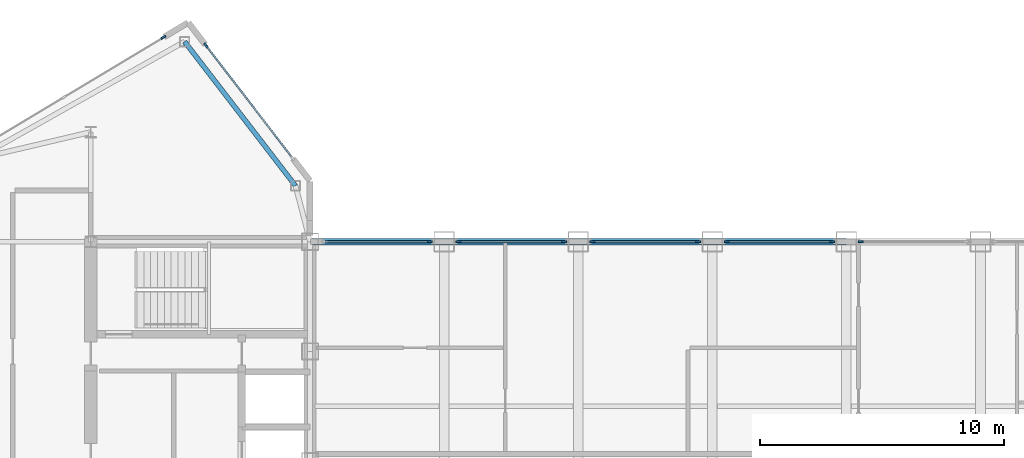
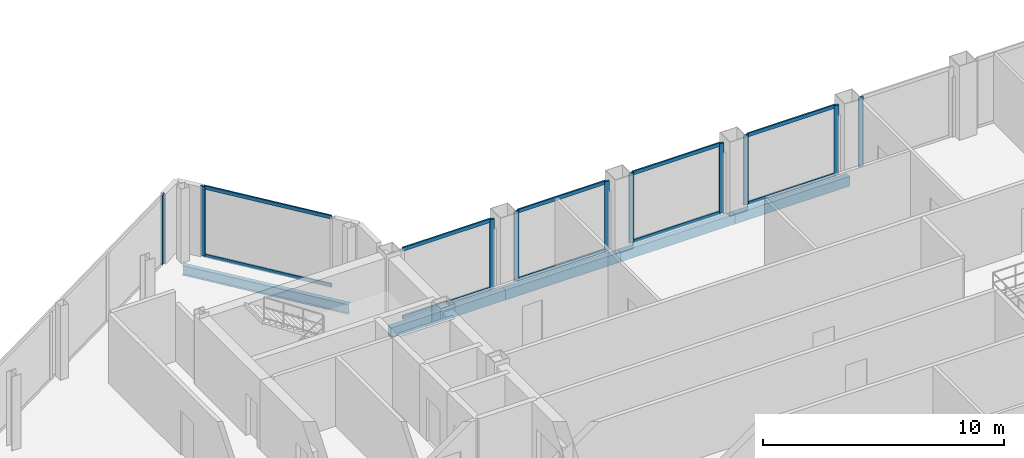
# One storey, part 12 of 29: 20 members, 5 beams, 7 elements without a shape of their own.
"""IFC4 building model written with IfcOpenShell, lengths in metres."""

from ifc_helpers import new_model, si_unit, direction, frame, origin, origin_2d, place, context, subcontext, project, spatial, rectangle, hollow_rectangle, i_section, extrude, source, transform, mapped, material, layer, layer_set, material_profile, profile_set, type_object, type_shapes, element, aggregate, save


model = new_model("IFC4")

# Units and contexts
model_context = context("Model", 3, precision=1e-05, world=origin(), true_north=direction((0.0, 1.0)))
body_context = subcontext(model_context, "Body", "Model", "MODEL_VIEW")
ifc_project = project(units=[si_unit("LENGTHUNIT", "METRE"), si_unit("AREAUNIT", "SQUARE_METRE"), si_unit("VOLUMEUNIT", "CUBIC_METRE"), si_unit("PLANEANGLEUNIT", "RADIAN"), si_unit("MASSUNIT", "GRAM", prefix="KILO")], contexts=[model_context])

# Site, building, storey
site_placement = place(None, origin())
site = spatial("IfcSite", under=ifc_project, at=site_placement, CompositionType="ELEMENT")
building_placement = place(site_placement, origin())
building = spatial("IfcBuilding", under=site, at=building_placement, Name="Seokmaru Belvedere", CompositionType="ELEMENT")
storey_placement = place(building_placement, frame((0.0, 0.0, 250.64990234375)))
storey = spatial("IfcBuildingStorey", under=building, at=storey_placement, Name="L66", CompositionType="ELEMENT", Elevation=250.64990234375)

# Beams
ifc_material_1 = material(Name="Steel SM355 (355 MPa)", Category="steel")
ifc_material_profile_1 = material_profile(ifc_material_1, i_section(OverallWidth=0.199951171875, OverallDepth=0.5, WebThickness=0.010009765625, FlangeThickness=0.01611328125, at=origin_2d()), Name="H-500x200x10x16")
ifc_profile_set_1 = profile_set([ifc_material_profile_1], Name="Steel SM355 (355 MPa)")
beam_type_1 = type_object("IfcBeamType", Name="Perimeter Spandrel Beam H-500", PredefinedType="SPANDREL", material=ifc_profile_set_1)
shared_shape_1 = source(origin(), body_context, "Body", "SweptSolid", [
    extrude(i_section(OverallWidth=0.199951171875, OverallDepth=0.5, WebThickness=0.010009765625, FlangeThickness=0.01611328125, at=origin_2d()), origin(), (0.0, 0.0, 1.0), 7.4619140625),
])
type_shapes(beam_type_1, [shared_shape_1])
beam_placement = place(storey_placement, frame((-32.649658203125, 21.71044921875, -0.469970703125), z_axis=(0.609702854945, -0.792630070507, 0.0), x_axis=(0.792630070507, 0.609702854945, 0.0)))
element("IfcBeam", 1, at=beam_placement, inside=storey, type_object=beam_type_1, Name="L66 W Shoulder Chamfer Spandrel N", PredefinedType="SPANDREL", context=body_context, shape_type="MappedRepresentation", body=[
    mapped(shared_shape_1, transform((0.0, 0.0, 0.0), scale=1.0)),
])
ifc_material_profile_2 = material_profile(ifc_material_1, hollow_rectangle(XDim=0.25, YDim=0.5, WallThickness=0.013916015625, at=origin_2d()), Name="RHS-500x250x14")
ifc_profile_set_2 = profile_set([ifc_material_profile_2], Name="Steel SM355 (355 MPa)")
beam_type_2 = type_object("IfcBeamType", Name="Bridge Edge Spandrel RHS-500", PredefinedType="SPANDREL", material=ifc_profile_set_2)
shared_shape_2 = source(origin(), body_context, "Body", "SweptSolid", [
    extrude(hollow_rectangle(XDim=0.25, YDim=0.5, WallThickness=0.013916015625, at=origin_2d()), origin(), (0.0, 0.0, 1.0), 5.5),
])
type_shapes(beam_type_2, [shared_shape_2])
for number, where, z_axis, x_axis, name in (
    (2, (-27.5, 13.5, -0.469970703125), (1.0, 0.0, 0.0), (0.0, 1.0, 0.0), "L66 Sky-Gate Bridge Edge Girder N-01"),
    (3, (-22.0, 13.5, -0.469970703125), (1.0, 0.0, 0.0), (0.0, 1.0, 0.0), "L66 Sky-Gate Bridge Edge Girder N-02"),
    (4, (-16.5, 13.5, -0.469970703125), (1.0, 0.0, 0.0), (0.0, 1.0, 0.0), "L66 Sky-Gate Bridge Edge Girder N-03"),
    (5, (-11.0, 13.5, -0.469970703125), (1.0, 0.0, 0.0), (0.0, 1.0, 0.0), "L66 Sky-Gate Bridge Edge Girder N-04"),
):
    element("IfcBeam", number, at=place(storey_placement, frame(where, z_axis=z_axis, x_axis=x_axis)), inside=storey, type_object=beam_type_2, Name=name, PredefinedType="SPANDREL", context=body_context, shape_type="MappedRepresentation", body=[
        mapped(shared_shape_2, transform((0.0, 0.0, 0.0), scale=1.0)),
    ])

# Curtain wall, members
ifc_material_2 = material(Name="Bronze Triple Insulating Glass", Category="glass")
ifc_layer = layer(ifc_material_2, 0.219970703125)
ifc_layer_set = layer_set([ifc_layer], Name="Bronze Triple Insulating Glass")
curtain_wall_type = type_object("IfcCurtainWallType", Name="Sky-Gate Bridge Panorama Curtain Wall System CW-6", PredefinedType="NOTDEFINED", material=ifc_layer_set)
curtain_wall_1_placement = place(storey_placement, origin())
curtain_wall_1 = element("IfcCurtainWall", 6, at=curtain_wall_1_placement, inside=storey, type_object=curtain_wall_type, Name="L66 Curtain Wall WF2", PredefinedType="NOTDEFINED")
ifc_material_3 = material(Name="Anodised Bronze Aluminium", Category="aluminium")
ifc_material_profile_3 = material_profile(ifc_material_3, rectangle(XDim=0.074951171875, YDim=0.179931640625, at=origin_2d()), Name="CW-T-75x180")
ifc_profile_set_3 = profile_set([ifc_material_profile_3], Name="Anodised Bronze Aluminium")
member_type_1 = type_object("IfcMemberType", Name="Bronze Unitised Transom 75x180", PredefinedType="USERDEFINED", material=ifc_profile_set_3)
shared_shape_3 = source(origin(), body_context, "Body", "SweptSolid", [
    extrude(rectangle(XDim=0.074951171875, YDim=0.179931640625, at=origin_2d()), origin(), (0.0, 0.0, 1.0), 5.74072265625),
])
member_1_placement = place(storey_placement, frame((-28.25, 16.974853515625, 0.03759765625), z_axis=(-0.609686097287, 0.792642960465, 0.0), x_axis=(-0.792642960465, -0.609686097287, 0.0)))
member_1 = element("IfcMember", 7, at=member_1_placement, type_object=member_type_1, Name="CW:L66:WF2 Continuous Transom 1", ObjectType="TRANSOM", PredefinedType="USERDEFINED", context=body_context, shape_type="MappedRepresentation", body=[
    mapped(shared_shape_3, transform((0.0, 0.0, 0.0), scale=1.0)),
])
member_2_placement = place(storey_placement, frame((-28.25, 16.974853515625, 3.49267578125), z_axis=(-0.609686097287, 0.792642960465, 0.0), x_axis=(-0.792642960465, -0.609686097287, 0.0)))
member_2 = element("IfcMember", 8, at=member_2_placement, type_object=member_type_1, Name="CW:L66:WF2 Continuous Transom 2", ObjectType="TRANSOM", PredefinedType="USERDEFINED", context=body_context, shape_type="MappedRepresentation", body=[
    mapped(shared_shape_3, transform((0.0, 0.0, 0.0), scale=1.0)),
])

curtain_wall_2_placement = place(storey_placement, origin())
curtain_wall_2 = element("IfcCurtainWall", 9, at=curtain_wall_2_placement, inside=storey, type_object=curtain_wall_type, Name="L66 Curtain Wall BR_N01", PredefinedType="NOTDEFINED")
shared_shape_4 = source(origin(), body_context, "Body", "SweptSolid", [
    extrude(rectangle(XDim=0.074951171875, YDim=0.179931640625, at=origin_2d()), origin(), (0.0, 0.0, 1.0), 4.240234375),
])
type_shapes(member_type_1, [shared_shape_3, shared_shape_4])
member_3_placement = place(storey_placement, frame((-22.6298828125, 13.5, 0.03759765625), z_axis=(-1.0, 0.0, 0.0), x_axis=(0.0, -1.0, 0.0)))
member_3 = element("IfcMember", 10, at=member_3_placement, type_object=member_type_1, Name="CW:L66:BR_N01 Continuous Transom 1", ObjectType="TRANSOM", PredefinedType="USERDEFINED", context=body_context, shape_type="MappedRepresentation", body=[
    mapped(shared_shape_4, transform((0.0, 0.0, 0.0), scale=1.0)),
])
member_4_placement = place(storey_placement, frame((-22.6298828125, 13.5, 3.49267578125), z_axis=(-1.0, 0.0, 0.0), x_axis=(0.0, -1.0, 0.0)))
member_4 = element("IfcMember", 11, at=member_4_placement, type_object=member_type_1, Name="CW:L66:BR_N01 Continuous Transom 2", ObjectType="TRANSOM", PredefinedType="USERDEFINED", context=body_context, shape_type="MappedRepresentation", body=[
    mapped(shared_shape_4, transform((0.0, 0.0, 0.0), scale=1.0)),
])

curtain_wall_3_placement = place(storey_placement, origin())
curtain_wall_3 = element("IfcCurtainWall", 12, at=curtain_wall_3_placement, inside=storey, type_object=curtain_wall_type, Name="L66 Curtain Wall BR_N02", PredefinedType="NOTDEFINED")
member_5_placement = place(storey_placement, frame((-17.1298828125, 13.5, 0.03759765625), z_axis=(-1.0, 0.0, 0.0), x_axis=(0.0, -1.0, 0.0)))
member_5 = element("IfcMember", 13, at=member_5_placement, type_object=member_type_1, Name="CW:L66:BR_N02 Continuous Transom 1", ObjectType="TRANSOM", PredefinedType="USERDEFINED", context=body_context, shape_type="MappedRepresentation", body=[
    mapped(shared_shape_4, transform((0.0, 0.0, 0.0), scale=1.0)),
])
member_6_placement = place(storey_placement, frame((-17.1298828125, 13.5, 3.49267578125), z_axis=(-1.0, 0.0, 0.0), x_axis=(0.0, -1.0, 0.0)))
member_6 = element("IfcMember", 14, at=member_6_placement, type_object=member_type_1, Name="CW:L66:BR_N02 Continuous Transom 2", ObjectType="TRANSOM", PredefinedType="USERDEFINED", context=body_context, shape_type="MappedRepresentation", body=[
    mapped(shared_shape_4, transform((0.0, 0.0, 0.0), scale=1.0)),
])

curtain_wall_4_placement = place(storey_placement, origin())
curtain_wall_4 = element("IfcCurtainWall", 15, at=curtain_wall_4_placement, inside=storey, type_object=curtain_wall_type, Name="L66 Curtain Wall BR_N03", PredefinedType="NOTDEFINED")
member_7_placement = place(storey_placement, frame((-11.6298828125, 13.5, 0.03759765625), z_axis=(-1.0, 0.0, 0.0), x_axis=(0.0, -1.0, 0.0)))
member_7 = element("IfcMember", 16, at=member_7_placement, type_object=member_type_1, Name="CW:L66:BR_N03 Continuous Transom 1", ObjectType="TRANSOM", PredefinedType="USERDEFINED", context=body_context, shape_type="MappedRepresentation", body=[
    mapped(shared_shape_4, transform((0.0, 0.0, 0.0), scale=1.0)),
])
member_8_placement = place(storey_placement, frame((-11.6298828125, 13.5, 3.49267578125), z_axis=(-1.0, 0.0, 0.0), x_axis=(0.0, -1.0, 0.0)))
member_8 = element("IfcMember", 17, at=member_8_placement, type_object=member_type_1, Name="CW:L66:BR_N03 Continuous Transom 2", ObjectType="TRANSOM", PredefinedType="USERDEFINED", context=body_context, shape_type="MappedRepresentation", body=[
    mapped(shared_shape_4, transform((0.0, 0.0, 0.0), scale=1.0)),
])

curtain_wall_5_placement = place(storey_placement, origin())
curtain_wall_5 = element("IfcCurtainWall", 18, at=curtain_wall_5_placement, inside=storey, type_object=curtain_wall_type, Name="L66 Curtain Wall BR_N04", PredefinedType="NOTDEFINED")
member_9_placement = place(storey_placement, frame((-6.1298828125, 13.5, 0.03759765625), z_axis=(-1.0, 0.0, 0.0), x_axis=(0.0, -1.0, 0.0)))
member_9 = element("IfcMember", 19, at=member_9_placement, type_object=member_type_1, Name="CW:L66:BR_N04 Continuous Transom 1", ObjectType="TRANSOM", PredefinedType="USERDEFINED", context=body_context, shape_type="MappedRepresentation", body=[
    mapped(shared_shape_4, transform((0.0, 0.0, 0.0), scale=1.0)),
])
member_10_placement = place(storey_placement, frame((-6.1298828125, 13.5, 3.49267578125), z_axis=(-1.0, 0.0, 0.0), x_axis=(0.0, -1.0, 0.0)))
member_10 = element("IfcMember", 20, at=member_10_placement, type_object=member_type_1, Name="CW:L66:BR_N04 Continuous Transom 2", ObjectType="TRANSOM", PredefinedType="USERDEFINED", context=body_context, shape_type="MappedRepresentation", body=[
    mapped(shared_shape_4, transform((0.0, 0.0, 0.0), scale=1.0)),
])

# Member
ifc_material_profile_4 = material_profile(ifc_material_3, rectangle(XDim=0.080078125, YDim=0.219970703125, at=origin_2d()), Name="CW-M-80x220")
ifc_profile_set_4 = profile_set([ifc_material_profile_4], Name="Anodised Bronze Aluminium")
member_type_2 = type_object("IfcMemberType", Name="Bronze Unitised Mullion 80x220", PredefinedType="MULLION", material=ifc_profile_set_4)
shared_shape_5 = source(origin(), body_context, "Body", "SweptSolid", [
    extrude(rectangle(XDim=0.080078125, YDim=0.219970703125, at=origin_2d()), origin(), (0.0, 0.0, 1.0), 3.530029296875),
])
type_shapes(member_type_2, [shared_shape_5])
member_11_placement = place(storey_placement, frame((-31.7744140625, 21.556884765625, 0.0), z_axis=(0.0, 0.0, 1.0), x_axis=(-0.792631353244, -0.609701187349, 0.0)))
member_11 = element("IfcMember", 21, at=member_11_placement, type_object=member_type_2, Name="CW:L66:WF2 Mullion 2", PredefinedType="MULLION", context=body_context, shape_type="MappedRepresentation", body=[
    mapped(shared_shape_5, transform((0.0, 0.0, 0.0), scale=1.0)),
])

aggregate(curtain_wall_1, [member_11, member_1, member_2])

# Curtain wall, member
curtain_wall_6_placement = place(storey_placement, origin())
curtain_wall_6 = element("IfcCurtainWall", 22, at=curtain_wall_6_placement, inside=storey, type_object=curtain_wall_type, Name="L66 Curtain Wall WF3", PredefinedType="NOTDEFINED")
member_12_placement = place(storey_placement, frame((-33.5205078125, 21.8876953125, 0.0), z_axis=(0.0, 0.0, 1.0), x_axis=(0.514494909364, -0.85749343335, 0.0)))
member_12 = element("IfcMember", 23, at=member_12_placement, type_object=member_type_2, Name="CW:L66:WF3 Mullion 1", PredefinedType="MULLION", context=body_context, shape_type="MappedRepresentation", body=[
    mapped(shared_shape_5, transform((0.0, 0.0, 0.0), scale=1.0)),
])
aggregate(curtain_wall_6, [member_12])

# Member
member_13_placement = place(storey_placement, frame((-22.590087890625, 13.5, 0.0), z_axis=(0.0, 0.0, 1.0), x_axis=(0.0, -1.0, 0.0)))
member_13 = element("IfcMember", 24, at=member_13_placement, type_object=member_type_2, Name="CW:L66:BR_N01 Mullion 1", PredefinedType="MULLION", context=body_context, shape_type="MappedRepresentation", body=[
    mapped(shared_shape_5, transform((0.0, 0.0, 0.0), scale=1.0)),
])

aggregate(curtain_wall_2, [member_13, member_3, member_4])

member_14_placement = place(storey_placement, frame((-17.090087890625, 13.5, 0.0), z_axis=(0.0, 0.0, 1.0), x_axis=(0.0, -1.0, 0.0)))
member_14 = element("IfcMember", 25, at=member_14_placement, type_object=member_type_2, Name="CW:L66:BR_N02 Mullion 1", PredefinedType="MULLION", context=body_context, shape_type="MappedRepresentation", body=[
    mapped(shared_shape_5, transform((0.0, 0.0, 0.0), scale=1.0)),
])

member_15_placement = place(storey_placement, frame((-21.409912109375, 13.5, 0.0), z_axis=(0.0, 0.0, 1.0), x_axis=(0.0, -1.0, 0.0)))
member_15 = element("IfcMember", 26, at=member_15_placement, type_object=member_type_2, Name="CW:L66:BR_N02 Mullion 2", PredefinedType="MULLION", context=body_context, shape_type="MappedRepresentation", body=[
    mapped(shared_shape_5, transform((0.0, 0.0, 0.0), scale=1.0)),
])

aggregate(curtain_wall_3, [member_14, member_15, member_5, member_6])

member_16_placement = place(storey_placement, frame((-11.590087890625, 13.5, 0.0), z_axis=(0.0, 0.0, 1.0), x_axis=(0.0, -1.0, 0.0)))
member_16 = element("IfcMember", 27, at=member_16_placement, type_object=member_type_2, Name="CW:L66:BR_N03 Mullion 1", PredefinedType="MULLION", context=body_context, shape_type="MappedRepresentation", body=[
    mapped(shared_shape_5, transform((0.0, 0.0, 0.0), scale=1.0)),
])

member_17_placement = place(storey_placement, frame((-15.909912109375, 13.5, 0.0), z_axis=(0.0, 0.0, 1.0), x_axis=(0.0, -1.0, 0.0)))
member_17 = element("IfcMember", 28, at=member_17_placement, type_object=member_type_2, Name="CW:L66:BR_N03 Mullion 2", PredefinedType="MULLION", context=body_context, shape_type="MappedRepresentation", body=[
    mapped(shared_shape_5, transform((0.0, 0.0, 0.0), scale=1.0)),
])

aggregate(curtain_wall_4, [member_16, member_17, member_7, member_8])

member_18_placement = place(storey_placement, frame((-6.090087890625, 13.5, 0.0), z_axis=(0.0, 0.0, 1.0), x_axis=(0.0, -1.0, 0.0)))
member_18 = element("IfcMember", 29, at=member_18_placement, type_object=member_type_2, Name="CW:L66:BR_N04 Mullion 1", PredefinedType="MULLION", context=body_context, shape_type="MappedRepresentation", body=[
    mapped(shared_shape_5, transform((0.0, 0.0, 0.0), scale=1.0)),
])

member_19_placement = place(storey_placement, frame((-10.409912109375, 13.5, 0.0), z_axis=(0.0, 0.0, 1.0), x_axis=(0.0, -1.0, 0.0)))
member_19 = element("IfcMember", 30, at=member_19_placement, type_object=member_type_2, Name="CW:L66:BR_N04 Mullion 2", PredefinedType="MULLION", context=body_context, shape_type="MappedRepresentation", body=[
    mapped(shared_shape_5, transform((0.0, 0.0, 0.0), scale=1.0)),
])

aggregate(curtain_wall_5, [member_18, member_19, member_9, member_10])

# Curtain wall, member
curtain_wall_7_placement = place(storey_placement, origin())
curtain_wall_7 = element("IfcCurtainWall", 31, at=curtain_wall_7_placement, inside=storey, type_object=curtain_wall_type, Name="L66 Curtain Wall BR_N05", PredefinedType="NOTDEFINED")
member_20_placement = place(storey_placement, frame((-4.909912109375, 13.5, 0.0), z_axis=(0.0, 0.0, 1.0), x_axis=(0.0, -1.0, 0.0)))
member_20 = element("IfcMember", 32, at=member_20_placement, type_object=member_type_2, Name="CW:L66:BR_N05 Mullion 2", PredefinedType="MULLION", context=body_context, shape_type="MappedRepresentation", body=[
    mapped(shared_shape_5, transform((0.0, 0.0, 0.0), scale=1.0)),
])
aggregate(curtain_wall_7, [member_20])

save(model, "model.ifc")
